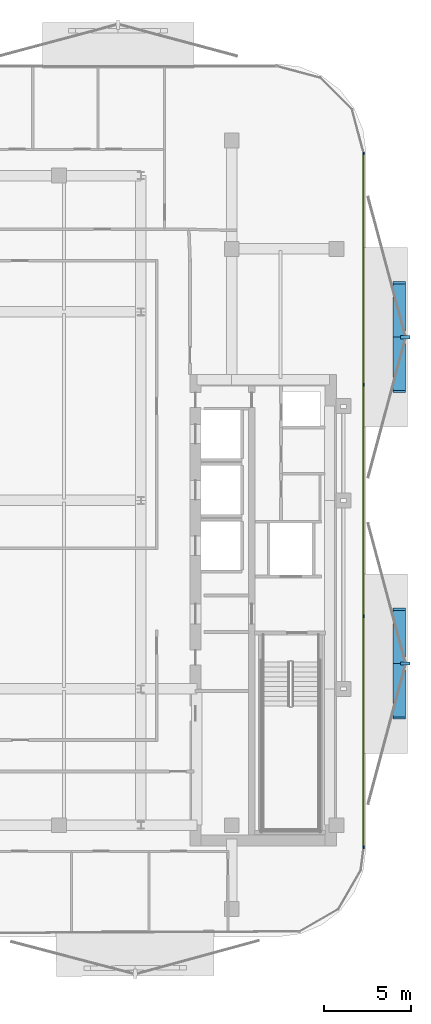
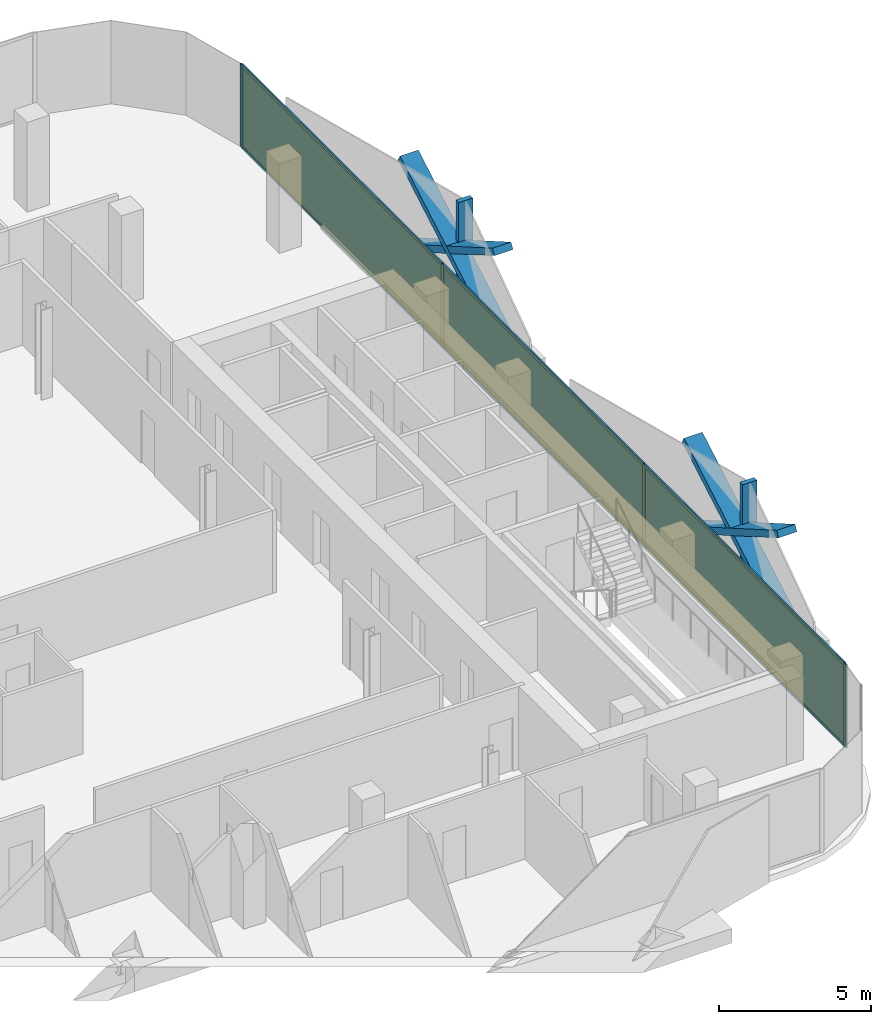
# One storey, part 10 of 15: 16 members, 3 plates, 1 curtain wall.
"""IFC4 building model written with IfcOpenShell, lengths in metres."""

import ifcopenshell
import ifcopenshell.guid

model = None  # the IFC model being written
_history = None  # IfcOwnerHistory: only IFC2X3 demands one
_inside = {}  # id of a spatial element -> (the spatial element, [elements in it])
_under = {}  # id of a project, library or spatial element -> (it, [spatial elements below it])
_declared = {}  # id of a project -> (the project, [libraries it declares])
_typed = {}  # id of a type object -> (the type object, [elements of that type])
_made_of = {}  # id of a material, layer set ... -> (it, [elements and type objects made of it])


def new_model(schema):
    """Start an empty IFC model of exactly this schema.

    Asked for "IFC4X3", IfcOpenShell would pick the latest addendum, in which some entities
    have other attributes; the version numbers below select the first issue.
    IFC2X3 requires an IfcOwnerHistory on every rooted entity: one is made here for all.
    """
    global model, _history
    if schema == "IFC4X3":
        model = ifcopenshell.file(schema_version=(4, 3, 0, 0))
    else:
        model = ifcopenshell.file(schema=schema)
    _inside.clear()
    _under.clear()
    _declared.clear()
    _typed.clear()
    _made_of.clear()
    _history = None
    if model.schema == "IFC2X3":
        org = make("IfcOrganization", Name="unknown")
        user = make(
            "IfcPersonAndOrganization",
            ThePerson=make("IfcPerson", FamilyName="unknown"),
            TheOrganization=org,
        )
        app = make(
            "IfcApplication",
            ApplicationDeveloper=org,
            Version="unknown",
            ApplicationFullName="unknown",
            ApplicationIdentifier="unknown",
        )
        _history = make(
            "IfcOwnerHistory",
            OwningUser=user,
            OwningApplication=app,
            ChangeAction="ADDED",
            CreationDate=0,
        )
    return model


def make(cls, **values):
    """One entity of the class cls with the attributes given. An attribute that is None is left unset."""
    return model.create_entity(
        cls, **{name: value for name, value in values.items() if value is not None}
    )


def rooted(cls, **values):
    """An entity with a GlobalId (a new one), such as an element, a storey or a relation."""
    return make(cls, GlobalId=ifcopenshell.guid.new(), OwnerHistory=_history, **values)


def si_unit(unit_type, name, prefix=None):
    """IfcSIUnit, for example si_unit("LENGTHUNIT", "METRE", prefix="MILLI")."""
    return make("IfcSIUnit", UnitType=unit_type, Prefix=prefix, Name=name)


def assignment(units):
    """IfcUnitAssignment: the units of a project."""
    return None if units is None else make("IfcUnitAssignment", Units=units)


def point(xyz):
    """IfcCartesianPoint."""
    return None if xyz is None else make("IfcCartesianPoint", Coordinates=xyz)


def direction(xyz):
    """IfcDirection."""
    return None if xyz is None else make("IfcDirection", DirectionRatios=xyz)


def frame(location, z_axis=None, x_axis=None):
    """IfcAxis2Placement3D, a coordinate frame: its origin and axes. An axis left out is left unset."""
    return make(
        "IfcAxis2Placement3D",
        Location=point(location),
        Axis=direction(z_axis),
        RefDirection=direction(x_axis),
    )


def frame_2d(location, x_axis=None):
    """IfcAxis2Placement2D, a coordinate frame in the plane: its origin and x axis."""
    return make(
        "IfcAxis2Placement2D", Location=point(location), RefDirection=direction(x_axis)
    )


def origin():
    """The frame at (0, 0, 0) with its axes left unset."""
    return frame((0.0, 0.0, 0.0))


def origin_2d():
    """The frame at (0, 0) in the plane with its x axis left unset."""
    return frame_2d((0.0, 0.0))


def place(relative_to, where):
    """IfcLocalPlacement: puts the frame where relative to a parent placement (None: the world)."""
    return make(
        "IfcLocalPlacement", PlacementRelTo=relative_to, RelativePlacement=where
    )


def context(
    kind, dimensions, precision=None, world=None, true_north=None, identifier=None
):
    """IfcGeometricRepresentationContext, for example the 3D "Model" context."""
    return make(
        "IfcGeometricRepresentationContext",
        ContextIdentifier=identifier,
        ContextType=kind,
        CoordinateSpaceDimension=dimensions,
        Precision=precision,
        WorldCoordinateSystem=world,
        TrueNorth=true_north,
    )


def subcontext(parent, identifier, kind, view, scale=None):
    """IfcGeometricRepresentationSubContext, for example "Body" below "Model"."""
    return make(
        "IfcGeometricRepresentationSubContext",
        ContextIdentifier=identifier,
        ContextType=kind,
        ParentContext=parent,
        TargetScale=scale,
        TargetView=view,
    )


def project(units=None, contexts=None):
    """IfcProject with its units and contexts."""
    return rooted(
        "IfcProject",
        Name="project",
        RepresentationContexts=contexts,
        UnitsInContext=assignment(units),
    )


def spatial(cls, under=None, at=None, **own):
    """A site, building, storey or space (cls), placed at a placement, below another one or the project."""
    s = rooted(cls, ObjectPlacement=at, **own)
    if under is not None:
        _under.setdefault(under.id(), (under, []))[1].append(s)
    return s


def profile(cls, at=None, kind="AREA", **sizes):
    """A parametric profile (cls). Its sizes go by their IFC names, for example OverallWidth=200.0."""
    return make(cls, ProfileType=kind, Position=at, **sizes)


def rectangle(**sizes):
    """IfcRectangleProfileDef."""
    return profile("IfcRectangleProfileDef", **sizes)


def extrude(swept, where, along, depth):
    """IfcExtrudedAreaSolid: the profile swept, set in the frame where, extruded along a direction by depth."""
    return make(
        "IfcExtrudedAreaSolid",
        SweptArea=swept,
        Position=where,
        ExtrudedDirection=direction(along),
        Depth=depth,
    )


def shape(context_of_items, identifier, shape_type, items):
    """IfcShapeRepresentation: the items that make up one representation, for example the "Body"."""
    return make(
        "IfcShapeRepresentation",
        ContextOfItems=context_of_items,
        RepresentationIdentifier=identifier,
        RepresentationType=shape_type,
        Items=items,
    )


def material(Name=None, Category=None):
    """IfcMaterial."""
    return make("IfcMaterial", Name=Name, Category=Category)


def layer(
    of_material, thickness, ventilated=None, Name=None, Category=None, Priority=None
):
    """IfcMaterialLayer: one layer of a wall or slab, of a material (None: an air gap)."""
    return make(
        "IfcMaterialLayer",
        Material=of_material,
        LayerThickness=thickness,
        IsVentilated=ventilated,
        Name=Name,
        Category=Category,
        Priority=Priority,
    )


def layer_set(layers, Name=None):
    """IfcMaterialLayerSet."""
    return make("IfcMaterialLayerSet", MaterialLayers=layers, LayerSetName=Name)


def material_profile(
    of_material, cross_section, Name=None, Category=None, Priority=None
):
    """IfcMaterialProfile: a cross section and its material."""
    return make(
        "IfcMaterialProfile",
        Name=Name,
        Material=of_material,
        Profile=cross_section,
        Priority=Priority,
        Category=Category,
    )


def profile_set(profiles, Name=None, composite=None):
    """IfcMaterialProfileSet."""
    return make(
        "IfcMaterialProfileSet",
        Name=Name,
        MaterialProfiles=profiles,
        CompositeProfile=composite,
    )


def made_of(thing, what):
    """Note that an element or type object is made of a material, layer set ...; save() writes the relation."""
    if what is not None:
        _made_of.setdefault(what.id(), (what, []))[1].append(thing)
    return thing


def type_object(cls, material=None, **own):
    """A type object (cls), such as IfcWallType, which elements share."""
    return made_of(rooted(cls, **own), material)


def element(
    cls,
    number,
    at=None,
    inside=None,
    cuts=None,
    type_object=None,
    material=None,
    context=None,
    identifier="Body",
    shape_type=None,
    held_by="IfcProductDefinitionShape",
    body=None,
    shapes=None,
    **own,
):
    """One element of the class cls, such as IfcWall. Its Tag is "e" and its number.

    at: its placement. inside: the storey or other place that contains it. cuts: it is an
    opening in that element (IfcRelVoidsElement). A single representation is given by context,
    identifier, shape_type and body (its items); several are given by shapes. held_by: the class
    of the entity that holds the representations. save() writes the other relations.
    """
    e = rooted(cls, Tag="e%d" % number, ObjectPlacement=at, **own)
    if body is not None:
        shapes = [shape(context, identifier, shape_type, body)]
    if shapes is not None:
        e.Representation = make(held_by, Representations=shapes)
    if inside is not None:
        _inside.setdefault(inside.id(), (inside, []))[1].append(e)
    if cuts is not None:
        rooted(
            "IfcRelVoidsElement", RelatingBuildingElement=cuts, RelatedOpeningElement=e
        )
    if type_object is not None:
        _typed.setdefault(type_object.id(), (type_object, []))[1].append(e)
    return made_of(e, material)


def aggregate(whole, parts):
    """IfcRelAggregates: a whole, such as a stair, and the parts it consists of."""
    return rooted("IfcRelAggregates", RelatingObject=whole, RelatedObjects=parts)


def save(model, path):
    """Write the relations noted so far, then the file.

    IfcRelAggregates (storeys below a building ...), IfcRelContainedInSpatialStructure (elements
    in a storey), IfcRelDefinesByType, IfcRelAssociatesMaterial and IfcRelDeclares: one each for
    every whole, place, type object, material and project.
    """
    for whole, parts in _under.values():
        aggregate(whole, parts)
    for where, things in _inside.values():
        rooted(
            "IfcRelContainedInSpatialStructure",
            RelatedElements=things,
            RelatingStructure=where,
        )
    for kind, things in _typed.values():
        rooted("IfcRelDefinesByType", RelatedObjects=things, RelatingType=kind)
    for what, things in _made_of.values():
        rooted("IfcRelAssociatesMaterial", RelatedObjects=things, RelatingMaterial=what)
    for by, libraries in _declared.values():
        rooted("IfcRelDeclares", RelatingContext=by, RelatedDefinitions=libraries)
    model.write(path)


model = new_model("IFC4")

# Units and contexts
model_context = context("Model", 3, precision=1e-05, world=origin(), true_north=direction((0.0, 1.0)))
body_context = subcontext(model_context, "Body", "Model", "MODEL_VIEW")
ifc_project = project(units=[si_unit("LENGTHUNIT", "METRE"), si_unit("AREAUNIT", "SQUARE_METRE"), si_unit("VOLUMEUNIT", "CUBIC_METRE"), si_unit("PLANEANGLEUNIT", "RADIAN"), si_unit("MASSUNIT", "GRAM", prefix="KILO")], contexts=[model_context])

# Member
ifc_material_1 = material(Name="Anodised Bronze Aluminium 6063-T6", Category="aluminium")
ifc_material_profile_1 = material_profile(ifc_material_1, rectangle(XDim=0.260009765625, YDim=0.699951171875, at=origin_2d()))
ifc_profile_set_1 = profile_set([ifc_material_profile_1], Name="Anodised Bronze Aluminium 6063-T6")
member_type_1 = type_object("IfcMemberType", Name="Bronze Diamond Solar-Screen Lattice Rib BDL-700", PredefinedType="MULLION", material=ifc_profile_set_1)
site_placement = place(None, origin())
building_placement = place(site_placement, origin())
storey_placement = place(building_placement, frame((0.0, 0.0, 226.0)))
member_1_placement = place(storey_placement, frame((24.0, 12.46044921875, -0.1298828125), z_axis=(0.0, -0.865854948139, 0.500295121686), x_axis=(0.0, -0.500295121686, -0.865854948139)))
member_1 = element("IfcMember", 1, at=member_1_placement, type_object=member_type_1, Name="L52 Bronze Diamond Solar Screen Lattice Rib 351A", PredefinedType="MULLION", context=body_context, shape_type="SweptSolid", body=[
    extrude(rectangle(XDim=0.260009765625, YDim=0.699951171875, at=origin_2d()), origin(), (0.0, 0.0, 1.0), 7.195556640625),
])

member_2_placement = place(storey_placement, frame((24.0, 6.230224609375, -0.1298828125), z_axis=(0.0, 0.865854948139, 0.500295121686), x_axis=(0.0, 0.500295121686, -0.865854948139)))
member_2 = element("IfcMember", 2, at=member_2_placement, type_object=member_type_1, Name="L52 Bronze Diamond Solar Screen Lattice Rib 351B", PredefinedType="MULLION", context=body_context, shape_type="SweptSolid", body=[
    extrude(rectangle(XDim=0.260009765625, YDim=0.699951171875, at=origin_2d()), origin(), (0.0, 0.0, 1.0), 7.195556640625),
])

member_3_placement = place(storey_placement, frame((24.0, -6.230224609375, -0.1298828125), z_axis=(0.0, -0.865854948139, 0.500295121686), x_axis=(0.0, -0.500295121686, -0.865854948139)))
member_3 = element("IfcMember", 3, at=member_3_placement, type_object=member_type_1, Name="L52 Bronze Diamond Solar Screen Lattice Rib 352A", PredefinedType="MULLION", context=body_context, shape_type="SweptSolid", body=[
    extrude(rectangle(XDim=0.260009765625, YDim=0.699951171875, at=origin_2d()), origin(), (0.0, 0.0, 1.0), 7.195556640625),
])

member_4_placement = place(storey_placement, frame((24.0, -12.46044921875, -0.1298828125), z_axis=(0.0, 0.865854948139, 0.500295121686), x_axis=(0.0, 0.500295121686, -0.865854948139)))
member_4 = element("IfcMember", 4, at=member_4_placement, type_object=member_type_1, Name="L52 Bronze Diamond Solar Screen Lattice Rib 352B", PredefinedType="MULLION", context=body_context, shape_type="SweptSolid", body=[
    extrude(rectangle(XDim=0.260009765625, YDim=0.699951171875, at=origin_2d()), origin(), (0.0, 0.0, 1.0), 7.195556640625),
])

ifc_material_2 = material(Name="Anodised Bronze Aluminium 6063-T6", Category="aluminium")
ifc_material_profile_2 = material_profile(ifc_material_2, rectangle(XDim=0.179931640625, YDim=0.5400390625, at=origin_2d()))
ifc_profile_set_2 = profile_set([ifc_material_profile_2], Name="Anodised Bronze Aluminium 6063-T6")
member_type_2 = type_object("IfcMemberType", Name="Bronze Solar-Screen Vertical Fold Fin BSF-540", PredefinedType="MULLION", material=ifc_profile_set_2)
member_5_placement = place(storey_placement, frame((24.340087890625, 9.345458984375, -0.1298828125), z_axis=(0.0, 0.0, 1.0), x_axis=(0.0, -1.0, 0.0)))
member_5 = element("IfcMember", 5, at=member_5_placement, type_object=member_type_2, Name="L52 Bronze Solar Screen Vertical Fin 351", PredefinedType="MULLION", context=body_context, shape_type="SweptSolid", body=[
    extrude(rectangle(XDim=0.179931640625, YDim=0.5400390625, at=origin_2d()), origin(), (0.0, 0.0, 1.0), 3.599853515625),
])

member_6_placement = place(storey_placement, frame((24.340087890625, -9.345458984375, -0.1298828125), z_axis=(0.0, 0.0, 1.0), x_axis=(0.0, -1.0, 0.0)))
member_6 = element("IfcMember", 6, at=member_6_placement, type_object=member_type_2, Name="L52 Bronze Solar Screen Vertical Fin 352", PredefinedType="MULLION", context=body_context, shape_type="SweptSolid", body=[
    extrude(rectangle(XDim=0.179931640625, YDim=0.5400390625, at=origin_2d()), origin(), (0.0, 0.0, 1.0), 3.599853515625),
])

ifc_material_3 = material(Name="Anodised Bronze Aluminium 6063-T6", Category="aluminium")
ifc_material_profile_3 = material_profile(ifc_material_3, rectangle(XDim=0.06005859375, YDim=0.159912109375, at=origin_2d()))
ifc_profile_set_3 = profile_set([ifc_material_profile_3], Name="Anodised Bronze Aluminium 6063-T6")
member_type_3 = type_object("IfcMemberType", Name="CW-Z4 Mullion 60x160", PredefinedType="MULLION", material=ifc_profile_set_3)
member_7_placement = place(storey_placement, frame((21.9599609375, 19.86083984375, 0.0), z_axis=(0.0, 0.0, 1.0), x_axis=(1.0, 0.0, 0.0)))
member_7 = element("IfcMember", 7, at=member_7_placement, type_object=member_type_3, Name="CW-Z4 mullion 1", PredefinedType="MULLION", context=body_context, shape_type="SweptSolid", body=[
    extrude(rectangle(XDim=0.06005859375, YDim=0.159912109375, at=origin_2d()), origin(), (0.0, 0.0, 1.0), 3.340087890625),
])

member_8_placement = place(storey_placement, frame((21.9599609375, 6.63037109375, 0.0), z_axis=(0.0, 0.0, 1.0), x_axis=(1.0, 0.0, 0.0)))
member_8 = element("IfcMember", 8, at=member_8_placement, type_object=member_type_3, Name="CW-Z4 mullion 2", PredefinedType="MULLION", context=body_context, shape_type="SweptSolid", body=[
    extrude(rectangle(XDim=0.06005859375, YDim=0.159912109375, at=origin_2d()), origin(), (0.0, 0.0, 1.0), 3.340087890625),
])

member_9_placement = place(storey_placement, frame((21.9599609375, -6.63037109375, 0.0), z_axis=(0.0, 0.0, 1.0), x_axis=(1.0, 0.0, 0.0)))
member_9 = element("IfcMember", 9, at=member_9_placement, type_object=member_type_3, Name="CW-Z4 mullion 3", PredefinedType="MULLION", context=body_context, shape_type="SweptSolid", body=[
    extrude(rectangle(XDim=0.06005859375, YDim=0.159912109375, at=origin_2d()), origin(), (0.0, 0.0, 1.0), 3.340087890625),
])

member_10_placement = place(storey_placement, frame((21.9599609375, -19.86083984375, 0.0), z_axis=(0.0, 0.0, 1.0), x_axis=(1.0, 0.0, 0.0)))
member_10 = element("IfcMember", 10, at=member_10_placement, type_object=member_type_3, Name="CW-Z4 mullion 4", PredefinedType="MULLION", context=body_context, shape_type="SweptSolid", body=[
    extrude(rectangle(XDim=0.06005859375, YDim=0.159912109375, at=origin_2d()), origin(), (0.0, 0.0, 1.0), 3.340087890625),
])

ifc_material_4 = material(Name="Anodised Bronze Aluminium 6063-T6", Category="aluminium")
ifc_material_profile_4 = material_profile(ifc_material_4, rectangle(XDim=0.06005859375, YDim=0.125, at=origin_2d()))
ifc_profile_set_4 = profile_set([ifc_material_profile_4], Name="Anodised Bronze Aluminium 6063-T6")
member_type_4 = type_object("IfcMemberType", Name="CW-Z4 Transom 60x125", PredefinedType="USERDEFINED", material=ifc_profile_set_4)
member_11_placement = place(storey_placement, frame((21.9599609375, 19.830810546875, 0.030029296875), z_axis=(0.0, -1.0, 0.0), x_axis=(1.0, 0.0, 0.0)))
member_11 = element("IfcMember", 11, at=member_11_placement, type_object=member_type_4, Name="CW-Z4 transom 1.1", ObjectType="TRANSOM", PredefinedType="USERDEFINED", context=body_context, shape_type="SweptSolid", body=[
    extrude(rectangle(XDim=0.06005859375, YDim=0.125, at=origin_2d()), origin(), (0.0, 0.0, 1.0), 13.170654296875),
])

member_12_placement = place(storey_placement, frame((21.9599609375, 19.830810546875, 3.31005859375), z_axis=(0.0, -1.0, 0.0), x_axis=(1.0, 0.0, 0.0)))
member_12 = element("IfcMember", 12, at=member_12_placement, type_object=member_type_4, Name="CW-Z4 transom 1.2", ObjectType="TRANSOM", PredefinedType="USERDEFINED", context=body_context, shape_type="SweptSolid", body=[
    extrude(rectangle(XDim=0.06005859375, YDim=0.125, at=origin_2d()), origin(), (0.0, 0.0, 1.0), 13.170654296875),
])

member_13_placement = place(storey_placement, frame((21.9599609375, 6.600341796875, 0.030029296875), z_axis=(0.0, -1.0, 0.0), x_axis=(1.0, 0.0, 0.0)))
member_13 = element("IfcMember", 13, at=member_13_placement, type_object=member_type_4, Name="CW-Z4 transom 2.1", ObjectType="TRANSOM", PredefinedType="USERDEFINED", context=body_context, shape_type="SweptSolid", body=[
    extrude(rectangle(XDim=0.06005859375, YDim=0.125, at=origin_2d()), origin(), (0.0, 0.0, 1.0), 13.20068359375),
])

member_14_placement = place(storey_placement, frame((21.9599609375, 6.600341796875, 3.31005859375), z_axis=(0.0, -1.0, 0.0), x_axis=(1.0, 0.0, 0.0)))
member_14 = element("IfcMember", 14, at=member_14_placement, type_object=member_type_4, Name="CW-Z4 transom 2.2", ObjectType="TRANSOM", PredefinedType="USERDEFINED", context=body_context, shape_type="SweptSolid", body=[
    extrude(rectangle(XDim=0.06005859375, YDim=0.125, at=origin_2d()), origin(), (0.0, 0.0, 1.0), 13.20068359375),
])

member_15_placement = place(storey_placement, frame((21.9599609375, -6.66015625, 0.030029296875), z_axis=(0.0, -1.0, 0.0), x_axis=(1.0, 0.0, 0.0)))
member_15 = element("IfcMember", 15, at=member_15_placement, type_object=member_type_4, Name="CW-Z4 transom 3.1", ObjectType="TRANSOM", PredefinedType="USERDEFINED", context=body_context, shape_type="SweptSolid", body=[
    extrude(rectangle(XDim=0.06005859375, YDim=0.125, at=origin_2d()), origin(), (0.0, 0.0, 1.0), 13.170654296875),
])

member_16_placement = place(storey_placement, frame((21.9599609375, -6.66015625, 3.31005859375), z_axis=(0.0, -1.0, 0.0), x_axis=(1.0, 0.0, 0.0)))
member_16 = element("IfcMember", 16, at=member_16_placement, type_object=member_type_4, Name="CW-Z4 transom 3.2", ObjectType="TRANSOM", PredefinedType="USERDEFINED", context=body_context, shape_type="SweptSolid", body=[
    extrude(rectangle(XDim=0.06005859375, YDim=0.125, at=origin_2d()), origin(), (0.0, 0.0, 1.0), 13.170654296875),
])

# Plate
ifc_material_5 = material(Name="Low-E Solar Control Laminated Glass", Category="glass")
ifc_layer_1 = layer(ifc_material_5, 0.030029296875, Name="Low-E Solar Control Laminated Glass")
ifc_layer_set_1 = layer_set([ifc_layer_1], Name="Low-E Solar Control Laminated Glass")
plate_type = type_object("IfcPlateType", Name="CW-Z4 Low-E Double Glazed Panel 30mm", PredefinedType="CURTAIN_PANEL", material=ifc_layer_set_1)
plate_1_placement = place(storey_placement, frame((21.9599609375, 13.24560546875, 0.06005859375), z_axis=(0.0, 0.0, 1.0), x_axis=(0.0, -1.0, 0.0)))
plate_1 = element("IfcPlate", 17, at=plate_1_placement, type_object=plate_type, Name="CW-Z4 panel 1.1", PredefinedType="CURTAIN_PANEL", context=body_context, shape_type="SweptSolid", body=[
    extrude(rectangle(XDim=13.170654296875, YDim=0.030029296875, at=origin_2d()), origin(), (0.0, 0.0, 1.0), 3.219970703125),
])

plate_2_placement = place(storey_placement, frame((21.9599609375, 0.0, 0.06005859375), z_axis=(0.0, 0.0, 1.0), x_axis=(0.0, -1.0, 0.0)))
plate_2 = element("IfcPlate", 18, at=plate_2_placement, type_object=plate_type, Name="CW-Z4 panel 2.1", PredefinedType="CURTAIN_PANEL", context=body_context, shape_type="SweptSolid", body=[
    extrude(rectangle(XDim=13.200439453125, YDim=0.030029296875, at=origin_2d()), origin(), (0.0, 0.0, 1.0), 3.219970703125),
])

plate_3_placement = place(storey_placement, frame((21.9599609375, -13.24560546875, 0.06005859375), z_axis=(0.0, 0.0, 1.0), x_axis=(0.0, -1.0, 0.0)))
plate_3 = element("IfcPlate", 19, at=plate_3_placement, type_object=plate_type, Name="CW-Z4 panel 3.1", PredefinedType="CURTAIN_PANEL", context=body_context, shape_type="SweptSolid", body=[
    extrude(rectangle(XDim=13.170654296875, YDim=0.030029296875, at=origin_2d()), origin(), (0.0, 0.0, 1.0), 3.219970703125),
])

# Site, building, storey
site = spatial("IfcSite", under=ifc_project, at=site_placement, CompositionType="ELEMENT")
building = spatial("IfcBuilding", under=site, at=building_placement, Name="Khairoan Windgate Tower", CompositionType="ELEMENT")
storey = spatial("IfcBuildingStorey", under=building, at=storey_placement, Name="L52", CompositionType="ELEMENT", Elevation=226.0)

# Curtain wall
ifc_material_6 = material(Name="Anodised Bronze Aluminium 6063-T6", Category="aluminium")
ifc_layer_2 = layer(ifc_material_6, 0.159912109375, Name="Anodised Bronze Aluminium 6063-T6")
ifc_layer_set_2 = layer_set([ifc_layer_2], Name="Anodised Bronze Aluminium 6063-T6")
curtain_wall_type = type_object("IfcCurtainWallType", Name="Sky Residence Unitised Curtain Wall CW-Z4", PredefinedType="NOTDEFINED", material=ifc_layer_set_2)
curtain_wall_placement = place(storey_placement, frame((21.9599609375, 19.890869140625, 0.0), z_axis=(0.0, 0.0, 1.0), x_axis=(0.0, -1.0, 0.0)))
curtain_wall = element("IfcCurtainWall", 20, at=curtain_wall_placement, inside=storey, type_object=curtain_wall_type, Name="L52 Unitised Curtain Wall 13", PredefinedType="NOTDEFINED", context=body_context, shape_type="SweptSolid", body=[
    extrude(rectangle(XDim=39.78173828125, YDim=0.010009765625, at=frame_2d((19.890869140625, 0.0))), origin(), (0.0, 0.0, 1.0), 3.340087890625),
])

aggregate(curtain_wall, [member_7, member_8, member_9, member_10, member_11, member_12, plate_1, member_13, member_14, plate_2, member_15, member_16, plate_3, member_1, member_2, member_5, member_3, member_4, member_6])

save(model, "model.ifc")
